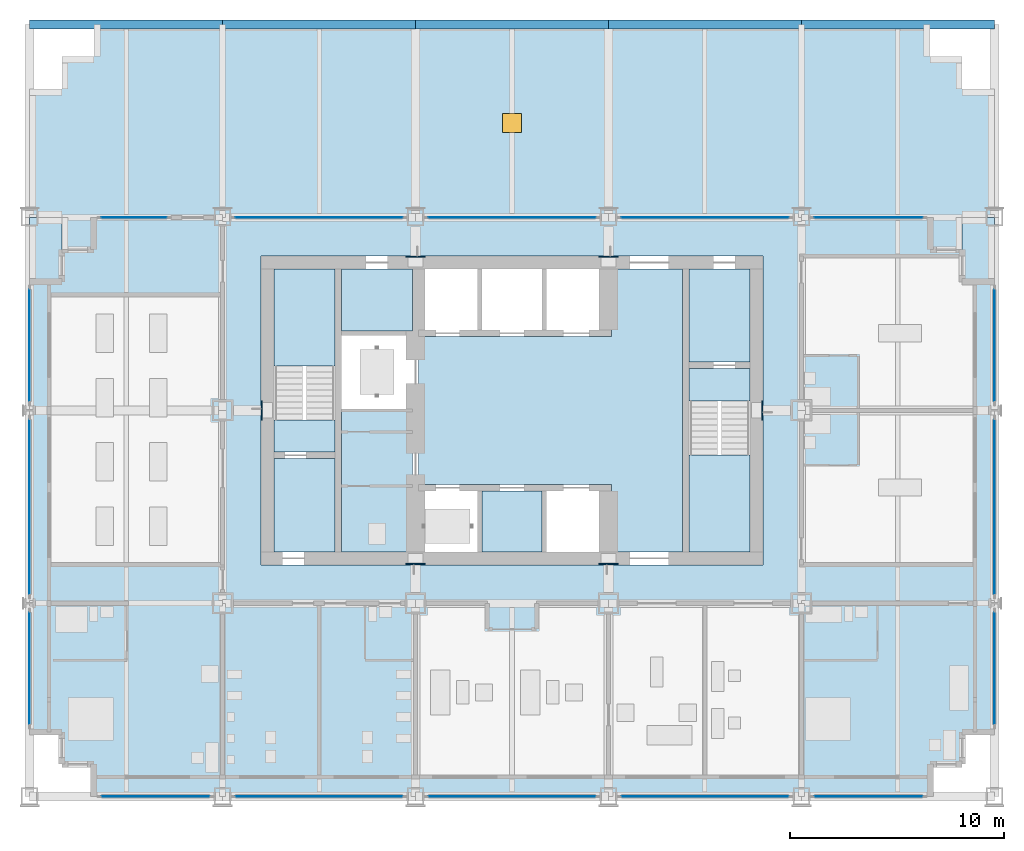
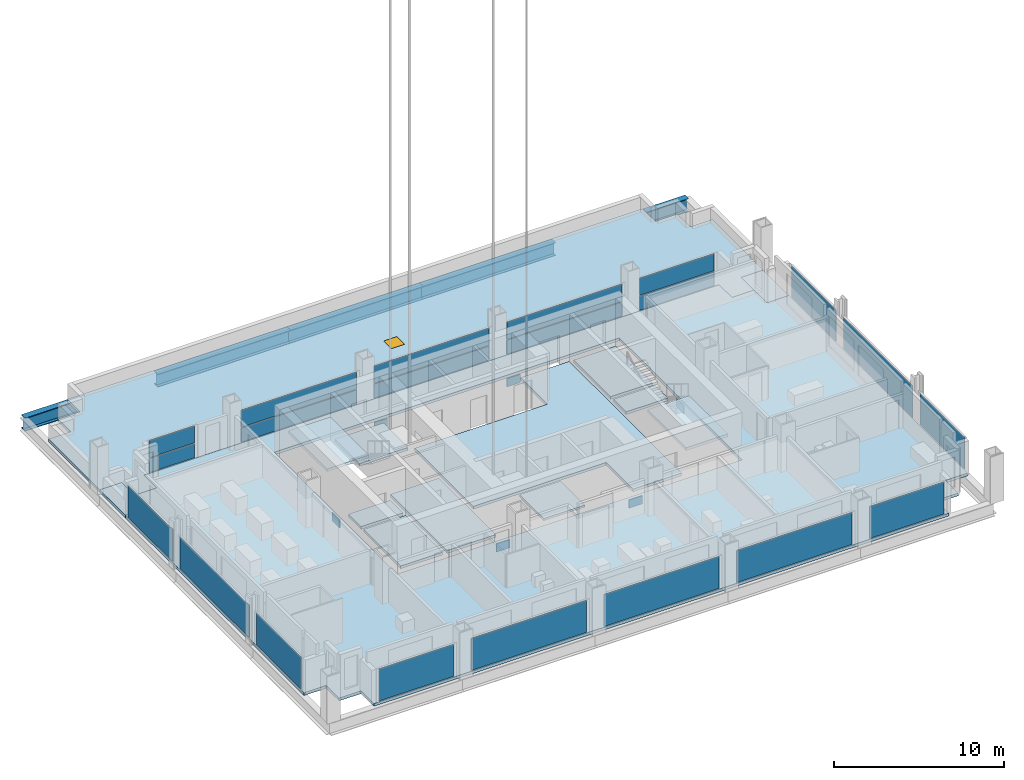
# One storey, part 6 of 15: 27 plates, 14 slabs, 5 beams, 1 window, 1 opening, 18 elements without a shape of their own.
"""IFC4 building model written with IfcOpenShell, lengths in metres."""

import ifcopenshell
import ifcopenshell.guid

model = None  # the IFC model being written
_history = None  # IfcOwnerHistory: only IFC2X3 demands one
_inside = {}  # id of a spatial element -> (the spatial element, [elements in it])
_under = {}  # id of a project, library or spatial element -> (it, [spatial elements below it])
_declared = {}  # id of a project -> (the project, [libraries it declares])
_typed = {}  # id of a type object -> (the type object, [elements of that type])
_made_of = {}  # id of a material, layer set ... -> (it, [elements and type objects made of it])


def new_model(schema):
    """Start an empty IFC model of exactly this schema.

    Asked for "IFC4X3", IfcOpenShell would pick the latest addendum, in which some entities
    have other attributes; the version numbers below select the first issue.
    IFC2X3 requires an IfcOwnerHistory on every rooted entity: one is made here for all.
    """
    global model, _history
    if schema == "IFC4X3":
        model = ifcopenshell.file(schema_version=(4, 3, 0, 0))
    else:
        model = ifcopenshell.file(schema=schema)
    _inside.clear()
    _under.clear()
    _declared.clear()
    _typed.clear()
    _made_of.clear()
    _history = None
    if model.schema == "IFC2X3":
        org = make("IfcOrganization", Name="unknown")
        user = make(
            "IfcPersonAndOrganization",
            ThePerson=make("IfcPerson", FamilyName="unknown"),
            TheOrganization=org,
        )
        app = make(
            "IfcApplication",
            ApplicationDeveloper=org,
            Version="unknown",
            ApplicationFullName="unknown",
            ApplicationIdentifier="unknown",
        )
        _history = make(
            "IfcOwnerHistory",
            OwningUser=user,
            OwningApplication=app,
            ChangeAction="ADDED",
            CreationDate=0,
        )
    return model


def make(cls, **values):
    """One entity of the class cls with the attributes given. An attribute that is None is left unset."""
    return model.create_entity(
        cls, **{name: value for name, value in values.items() if value is not None}
    )


def rooted(cls, **values):
    """An entity with a GlobalId (a new one), such as an element, a storey or a relation."""
    return make(cls, GlobalId=ifcopenshell.guid.new(), OwnerHistory=_history, **values)


def si_unit(unit_type, name, prefix=None):
    """IfcSIUnit, for example si_unit("LENGTHUNIT", "METRE", prefix="MILLI")."""
    return make("IfcSIUnit", UnitType=unit_type, Prefix=prefix, Name=name)


def assignment(units):
    """IfcUnitAssignment: the units of a project."""
    return None if units is None else make("IfcUnitAssignment", Units=units)


def point(xyz):
    """IfcCartesianPoint."""
    return None if xyz is None else make("IfcCartesianPoint", Coordinates=xyz)


def direction(xyz):
    """IfcDirection."""
    return None if xyz is None else make("IfcDirection", DirectionRatios=xyz)


def frame(location, z_axis=None, x_axis=None):
    """IfcAxis2Placement3D, a coordinate frame: its origin and axes. An axis left out is left unset."""
    return make(
        "IfcAxis2Placement3D",
        Location=point(location),
        Axis=direction(z_axis),
        RefDirection=direction(x_axis),
    )


def frame_2d(location, x_axis=None):
    """IfcAxis2Placement2D, a coordinate frame in the plane: its origin and x axis."""
    return make(
        "IfcAxis2Placement2D", Location=point(location), RefDirection=direction(x_axis)
    )


def origin():
    """The frame at (0, 0, 0) with its axes left unset."""
    return frame((0.0, 0.0, 0.0))


def origin_2d():
    """The frame at (0, 0) in the plane with its x axis left unset."""
    return frame_2d((0.0, 0.0))


def place(relative_to, where):
    """IfcLocalPlacement: puts the frame where relative to a parent placement (None: the world)."""
    return make(
        "IfcLocalPlacement", PlacementRelTo=relative_to, RelativePlacement=where
    )


def context(
    kind, dimensions, precision=None, world=None, true_north=None, identifier=None
):
    """IfcGeometricRepresentationContext, for example the 3D "Model" context."""
    return make(
        "IfcGeometricRepresentationContext",
        ContextIdentifier=identifier,
        ContextType=kind,
        CoordinateSpaceDimension=dimensions,
        Precision=precision,
        WorldCoordinateSystem=world,
        TrueNorth=true_north,
    )


def subcontext(parent, identifier, kind, view, scale=None):
    """IfcGeometricRepresentationSubContext, for example "Body" below "Model"."""
    return make(
        "IfcGeometricRepresentationSubContext",
        ContextIdentifier=identifier,
        ContextType=kind,
        ParentContext=parent,
        TargetScale=scale,
        TargetView=view,
    )


def project(units=None, contexts=None):
    """IfcProject with its units and contexts."""
    return rooted(
        "IfcProject",
        Name="project",
        RepresentationContexts=contexts,
        UnitsInContext=assignment(units),
    )


def spatial(cls, under=None, at=None, **own):
    """A site, building, storey or space (cls), placed at a placement, below another one or the project."""
    s = rooted(cls, ObjectPlacement=at, **own)
    if under is not None:
        _under.setdefault(under.id(), (under, []))[1].append(s)
    return s


def polyline(points):
    """IfcPolyline through the points."""
    return make("IfcPolyline", Points=[point(p) for p in points])


def profile(cls, at=None, kind="AREA", **sizes):
    """A parametric profile (cls). Its sizes go by their IFC names, for example OverallWidth=200.0."""
    return make(cls, ProfileType=kind, Position=at, **sizes)


def rectangle(**sizes):
    """IfcRectangleProfileDef."""
    return profile("IfcRectangleProfileDef", **sizes)


def i_section(**sizes):
    """IfcIShapeProfileDef."""
    return profile("IfcIShapeProfileDef", **sizes)


def outline(outer, holes=None, kind="AREA"):
    """IfcArbitraryClosedProfileDef: a profile drawn as a closed curve; with holes, ...WithVoids."""
    if holes is None:
        return make("IfcArbitraryClosedProfileDef", ProfileType=kind, OuterCurve=outer)
    return make(
        "IfcArbitraryProfileDefWithVoids",
        ProfileType=kind,
        OuterCurve=outer,
        InnerCurves=holes,
    )


def extrude(swept, where, along, depth):
    """IfcExtrudedAreaSolid: the profile swept, set in the frame where, extruded along a direction by depth."""
    return make(
        "IfcExtrudedAreaSolid",
        SweptArea=swept,
        Position=where,
        ExtrudedDirection=direction(along),
        Depth=depth,
    )


def shape(context_of_items, identifier, shape_type, items):
    """IfcShapeRepresentation: the items that make up one representation, for example the "Body"."""
    return make(
        "IfcShapeRepresentation",
        ContextOfItems=context_of_items,
        RepresentationIdentifier=identifier,
        RepresentationType=shape_type,
        Items=items,
    )


def material(Name=None, Category=None):
    """IfcMaterial."""
    return make("IfcMaterial", Name=Name, Category=Category)


def layer(
    of_material, thickness, ventilated=None, Name=None, Category=None, Priority=None
):
    """IfcMaterialLayer: one layer of a wall or slab, of a material (None: an air gap)."""
    return make(
        "IfcMaterialLayer",
        Material=of_material,
        LayerThickness=thickness,
        IsVentilated=ventilated,
        Name=Name,
        Category=Category,
        Priority=Priority,
    )


def layer_set(layers, Name=None):
    """IfcMaterialLayerSet."""
    return make("IfcMaterialLayerSet", MaterialLayers=layers, LayerSetName=Name)


def material_profile(
    of_material, cross_section, Name=None, Category=None, Priority=None
):
    """IfcMaterialProfile: a cross section and its material."""
    return make(
        "IfcMaterialProfile",
        Name=Name,
        Material=of_material,
        Profile=cross_section,
        Priority=Priority,
        Category=Category,
    )


def profile_set(profiles, Name=None, composite=None):
    """IfcMaterialProfileSet."""
    return make(
        "IfcMaterialProfileSet",
        Name=Name,
        MaterialProfiles=profiles,
        CompositeProfile=composite,
    )


def made_of(thing, what):
    """Note that an element or type object is made of a material, layer set ...; save() writes the relation."""
    if what is not None:
        _made_of.setdefault(what.id(), (what, []))[1].append(thing)
    return thing


def type_object(cls, material=None, **own):
    """A type object (cls), such as IfcWallType, which elements share."""
    return made_of(rooted(cls, **own), material)


def element(
    cls,
    number,
    at=None,
    inside=None,
    cuts=None,
    type_object=None,
    material=None,
    context=None,
    identifier="Body",
    shape_type=None,
    held_by="IfcProductDefinitionShape",
    body=None,
    shapes=None,
    **own,
):
    """One element of the class cls, such as IfcWall. Its Tag is "e" and its number.

    at: its placement. inside: the storey or other place that contains it. cuts: it is an
    opening in that element (IfcRelVoidsElement). A single representation is given by context,
    identifier, shape_type and body (its items); several are given by shapes. held_by: the class
    of the entity that holds the representations. save() writes the other relations.
    """
    e = rooted(cls, Tag="e%d" % number, ObjectPlacement=at, **own)
    if body is not None:
        shapes = [shape(context, identifier, shape_type, body)]
    if shapes is not None:
        e.Representation = make(held_by, Representations=shapes)
    if inside is not None:
        _inside.setdefault(inside.id(), (inside, []))[1].append(e)
    if cuts is not None:
        rooted(
            "IfcRelVoidsElement", RelatingBuildingElement=cuts, RelatedOpeningElement=e
        )
    if type_object is not None:
        _typed.setdefault(type_object.id(), (type_object, []))[1].append(e)
    return made_of(e, material)


def fill(opening, filler):
    """IfcRelFillsElement: the door or window that sits in an opening."""
    return rooted(
        "IfcRelFillsElement",
        RelatingOpeningElement=opening,
        RelatedBuildingElement=filler,
    )


def aggregate(whole, parts):
    """IfcRelAggregates: a whole, such as a stair, and the parts it consists of."""
    return rooted("IfcRelAggregates", RelatingObject=whole, RelatedObjects=parts)


def save(model, path):
    """Write the relations noted so far, then the file.

    IfcRelAggregates (storeys below a building ...), IfcRelContainedInSpatialStructure (elements
    in a storey), IfcRelDefinesByType, IfcRelAssociatesMaterial and IfcRelDeclares: one each for
    every whole, place, type object, material and project.
    """
    for whole, parts in _under.values():
        aggregate(whole, parts)
    for where, things in _inside.values():
        rooted(
            "IfcRelContainedInSpatialStructure",
            RelatedElements=things,
            RelatingStructure=where,
        )
    for kind, things in _typed.values():
        rooted("IfcRelDefinesByType", RelatedObjects=things, RelatingType=kind)
    for what, things in _made_of.values():
        rooted("IfcRelAssociatesMaterial", RelatedObjects=things, RelatingMaterial=what)
    for by, libraries in _declared.values():
        rooted("IfcRelDeclares", RelatingContext=by, RelatedDefinitions=libraries)
    model.write(path)


model = new_model("IFC4")

# Units and contexts
model_context = context("Model", 3, precision=1e-05, world=origin(), true_north=direction((0.0, 1.0)))
body_context = subcontext(model_context, "Body", "Model", "MODEL_VIEW")
ifc_project = project(units=[si_unit("LENGTHUNIT", "METRE"), si_unit("AREAUNIT", "SQUARE_METRE"), si_unit("VOLUMEUNIT", "CUBIC_METRE"), si_unit("PLANEANGLEUNIT", "RADIAN"), si_unit("MASSUNIT", "GRAM", prefix="KILO")], contexts=[model_context])

# Site, building, storey
site_placement = place(None, origin())
site = spatial("IfcSite", under=ifc_project, at=site_placement, CompositionType="ELEMENT")
building_placement = place(site_placement, origin())
building = spatial("IfcBuilding", under=site, at=building_placement, Name="Loomwork Tower", CompositionType="ELEMENT")
storey_placement = place(building_placement, frame((0.0, 0.0, 160.39990234375)))
storey = spatial("IfcBuildingStorey", under=building, at=storey_placement, Name="L43", CompositionType="ELEMENT", Elevation=160.39990234375)

# Beams
ifc_material_1 = material(Name="Steel ASTM A992", Category="steel")
ifc_material_profile = material_profile(ifc_material_1, i_section(OverallWidth=0.424072265625, OverallDepth=0.947509765625, WebThickness=0.02392578125, FlangeThickness=0.042724609375, at=origin_2d()), Name="W36x302")
ifc_profile_set = profile_set([ifc_material_profile], Name="Steel ASTM A992")
beam_type = type_object("IfcBeamType", Name="BELT CHORD SPANDREL W36x302", PredefinedType="SPANDREL", material=ifc_profile_set)
for number, where, z_axis, x_axis, name in (
    (1, (0.0, 36.0, -0.673583984375), (1.0, 0.0, 0.0), (0.0, 1.0, 0.0), "Belt Chord Spandrel H/2-H/3 L43"),
    (2, (9.0, 36.0, -0.673583984375), (1.0, 0.0, 0.0), (0.0, 1.0, 0.0), "Belt Chord Spandrel H/3-H/4 L43"),
    (3, (18.0, 36.0, -0.673583984375), (1.0, 0.0, 0.0), (0.0, 1.0, 0.0), "Belt Chord Spandrel H/4-H/5 L43"),
    (4, (27.0, 36.0, -0.673583984375), (1.0, 0.0, 0.0), (0.0, 1.0, 0.0), "Belt Chord Spandrel H/5-H/6 L43"),
    (5, (36.0, 36.0, -0.673583984375), (1.0, 0.0, 0.0), (0.0, 1.0, 0.0), "Belt Chord Spandrel H/6-H/7 L43"),
):
    element("IfcBeam", number, at=place(storey_placement, frame(where, z_axis=z_axis, x_axis=x_axis)), inside=storey, type_object=beam_type, Name=name, PredefinedType="SPANDREL", context=body_context, shape_type="SweptSolid", body=[
        extrude(i_section(OverallWidth=0.424072265625, OverallDepth=0.947509765625, WebThickness=0.02392578125, FlangeThickness=0.042724609375, at=origin_2d()), origin(), (0.0, 0.0, 1.0), 9.0),
    ])

# Slabs
ifc_material_2 = material(Name="Concrete 5000 psi (34 MPa) on composite metal deck", Category="concrete")
ifc_layer_1 = layer(ifc_material_2, 0.199951171875)
ifc_layer_set_1 = layer_set([ifc_layer_1], Name="Floor slab 200")
slab_type_1 = type_object("IfcSlabType", Name="Floor slab 200", PredefinedType="FLOOR", material=ifc_layer_set_1)
slab_1_placement = place(storey_placement, frame((0.0, 0.0, -0.199951171875)))
element("IfcSlab", 6, at=slab_1_placement, inside=storey, type_object=slab_type_1, Name="Floor slab L43", PredefinedType="FLOOR", context=body_context, shape_type="SweptSolid", body=[
    extrude(outline(polyline([(3.0, 1.5), (1.5, 1.5), (1.5, 3.0), (0.0, 3.0), (0.0, 24.0), (1.5, 24.0), (1.5, 25.5), (3.0, 25.5), (3.0, 27.0), (42.0, 27.0), (42.0, 25.5), (43.5, 25.5), (43.5, 24.0), (45.0, 24.0), (45.0, 3.0), (43.5, 3.0), (43.5, 1.5), (42.0, 1.5), (42.0, 0.0), (3.0, 0.0), (3.0, 1.5)]), holes=[polyline([(10.800048828125, 11.39990234375), (10.800048828125, 11.39990234375), (10.800048828125, 10.800048828125), (34.199951171875, 10.800048828125), (34.199951171875, 11.39990234375), (34.199951171875, 11.39990234375), (34.199951171875, 24.60009765625), (34.199951171875, 25.199951171875), (10.800048828125, 25.199951171875), (10.800048828125, 24.60009765625), (10.800048828125, 11.39990234375)])]), origin(), (0.0, 0.0, 1.0), 0.199951171875),
])
slab_2_placement = place(storey_placement, frame((0.0, 0.0, -0.199951171875)))
element("IfcSlab", 7, at=slab_2_placement, inside=storey, type_object=slab_type_1, Name="Floor slab L43", PredefinedType="FLOOR", context=body_context, shape_type="SweptSolid", body=[
    extrude(outline(polyline([(30.449951171875, 24.60009765625), (30.449951171875, 11.39990234375), (27.14990234375, 11.39990234375), (27.14990234375, 14.25), (27.14990234375, 14.550048828125), (18.14990234375, 14.550048828125), (18.14990234375, 21.449951171875), (27.14990234375, 21.449951171875), (27.14990234375, 21.75), (27.14990234375, 24.60009765625), (30.449951171875, 24.60009765625)])), origin(), (0.0, 0.0, 1.0), 0.199951171875),
])
slab_3_placement = place(storey_placement, frame((0.0, 0.0, -0.199951171875)))
element("IfcSlab", 8, at=slab_3_placement, inside=storey, type_object=slab_type_1, Name="Floor slab L43", PredefinedType="FLOOR", context=body_context, shape_type="SweptSolid", body=[
    extrude(outline(polyline([(14.550048828125, 11.39990234375), (14.550048828125, 18.074951171875), (17.85009765625, 18.074951171875), (17.85009765625, 11.39990234375), (14.550048828125, 11.39990234375)])), origin(), (0.0, 0.0, 1.0), 0.199951171875),
])
slab_4_placement = place(storey_placement, frame((0.0, 0.0, -0.199951171875)))
element("IfcSlab", 9, at=slab_4_placement, inside=storey, type_object=slab_type_1, Name="Floor slab L43", PredefinedType="FLOOR", context=body_context, shape_type="SweptSolid", body=[
    extrude(outline(polyline([(33.60009765625, 20.25), (30.75, 20.25), (30.75, 24.60009765625), (33.60009765625, 24.60009765625), (33.60009765625, 20.25)])), origin(), (0.0, 0.0, 1.0), 0.199951171875),
])
slab_5_placement = place(storey_placement, frame((0.0, 0.0, -0.199951171875)))
element("IfcSlab", 10, at=slab_5_placement, inside=storey, type_object=slab_type_1, Name="Floor slab L43", PredefinedType="FLOOR", context=body_context, shape_type="SweptSolid", body=[
    extrude(outline(polyline([(14.25, 15.75), (14.25, 11.39990234375), (11.39990234375, 11.39990234375), (11.39990234375, 15.75), (14.25, 15.75)])), origin(), (0.0, 0.0, 1.0), 0.199951171875),
])
slab_6_placement = place(storey_placement, frame((0.0, 0.0, -0.199951171875)))
element("IfcSlab", 11, at=slab_6_placement, inside=storey, type_object=slab_type_1, Name="Floor slab L43", PredefinedType="FLOOR", context=body_context, shape_type="SweptSolid", body=[
    extrude(outline(polyline([(14.550048828125, 21.699951171875), (14.550048828125, 24.60009765625), (17.85009765625, 24.60009765625), (17.85009765625, 21.699951171875), (14.550048828125, 21.699951171875)])), origin(), (0.0, 0.0, 1.0), 0.199951171875),
])

# Curtain wall, plate
ifc_material_3 = material(Name="Aluminium curtain wall frame", Category="aluminium")
curtain_wall_type_1 = type_object("IfcCurtainWallType", Name="Outer skin glazing hotel", PredefinedType="NOTDEFINED", material=ifc_material_3)
curtain_wall_1_placement = place(storey_placement, origin())
curtain_wall_1 = element("IfcCurtainWall", 12, at=curtain_wall_1_placement, inside=storey, type_object=curtain_wall_type_1, Name="Outer skin glazing hotel cw/S-0", PredefinedType="NOTDEFINED")
ifc_material_4 = material(Name="Clear laminated glass", Category="glass")
ifc_layer_2 = layer(ifc_material_4, 0.02392578125)
ifc_layer_set_2 = layer_set([ifc_layer_2], Name="Outer skin glazing hotel panel")
plate_type_1 = type_object("IfcPlateType", Name="Outer skin glazing hotel panel", PredefinedType="CURTAIN_PANEL", material=ifc_layer_set_2)
plate_1_placement = place(storey_placement, frame((5.875, 0.0, 0.06494140625), z_axis=(0.0, 0.0, 1.0), x_axis=(1.0, 0.0, 0.0)))
plate_1 = element("IfcPlate", 13, at=plate_1_placement, type_object=plate_type_1, Name="CW1 panel 1.1", PredefinedType="CURTAIN_PANEL", context=body_context, shape_type="SweptSolid", body=[
    extrude(rectangle(XDim=5.050048828125, YDim=0.02392578125, at=origin_2d()), origin(), (0.0, 0.0, 1.0), 2.290283203125),
])
aggregate(curtain_wall_1, [plate_1])

curtain_wall_2_placement = place(storey_placement, origin())
curtain_wall_2 = element("IfcCurtainWall", 14, at=curtain_wall_2_placement, inside=storey, type_object=curtain_wall_type_1, Name="Outer skin glazing hotel cw/S-9", PredefinedType="NOTDEFINED")
plate_2_placement = place(storey_placement, frame((13.5, 0.0, 0.06494140625), z_axis=(0.0, 0.0, 1.0), x_axis=(1.0, 0.0, 0.0)))
plate_2 = element("IfcPlate", 15, at=plate_2_placement, type_object=plate_type_1, Name="CW1 panel 1.1", PredefinedType="CURTAIN_PANEL", context=body_context, shape_type="SweptSolid", body=[
    extrude(rectangle(XDim=7.800048828125, YDim=0.02392578125, at=origin_2d()), origin(), (0.0, 0.0, 1.0), 2.290283203125),
])
aggregate(curtain_wall_2, [plate_2])

curtain_wall_3_placement = place(storey_placement, origin())
curtain_wall_3 = element("IfcCurtainWall", 16, at=curtain_wall_3_placement, inside=storey, type_object=curtain_wall_type_1, Name="Outer skin glazing hotel cw/S-18", PredefinedType="NOTDEFINED")
plate_3_placement = place(storey_placement, frame((22.5, 0.0, 0.06494140625), z_axis=(0.0, 0.0, 1.0), x_axis=(1.0, 0.0, 0.0)))
plate_3 = element("IfcPlate", 17, at=plate_3_placement, type_object=plate_type_1, Name="CW1 panel 1.1", PredefinedType="CURTAIN_PANEL", context=body_context, shape_type="SweptSolid", body=[
    extrude(rectangle(XDim=7.800048828125, YDim=0.02392578125, at=origin_2d()), origin(), (0.0, 0.0, 1.0), 2.290283203125),
])
aggregate(curtain_wall_3, [plate_3])

curtain_wall_4_placement = place(storey_placement, origin())
curtain_wall_4 = element("IfcCurtainWall", 18, at=curtain_wall_4_placement, inside=storey, type_object=curtain_wall_type_1, Name="Outer skin glazing hotel cw/S-27", PredefinedType="NOTDEFINED")
plate_4_placement = place(storey_placement, frame((31.5, 0.0, 0.06494140625), z_axis=(0.0, 0.0, 1.0), x_axis=(1.0, 0.0, 0.0)))
plate_4 = element("IfcPlate", 19, at=plate_4_placement, type_object=plate_type_1, Name="CW1 panel 1.1", PredefinedType="CURTAIN_PANEL", context=body_context, shape_type="SweptSolid", body=[
    extrude(rectangle(XDim=7.800048828125, YDim=0.02392578125, at=origin_2d()), origin(), (0.0, 0.0, 1.0), 2.290283203125),
])
aggregate(curtain_wall_4, [plate_4])

curtain_wall_5_placement = place(storey_placement, origin())
curtain_wall_5 = element("IfcCurtainWall", 20, at=curtain_wall_5_placement, inside=storey, type_object=curtain_wall_type_1, Name="Outer skin glazing hotel cw/S-36", PredefinedType="NOTDEFINED")
plate_5_placement = place(storey_placement, frame((39.125, 0.0, 0.06494140625), z_axis=(0.0, 0.0, 1.0), x_axis=(1.0, 0.0, 0.0)))
plate_5 = element("IfcPlate", 21, at=plate_5_placement, type_object=plate_type_1, Name="CW1 panel 1.1", PredefinedType="CURTAIN_PANEL", context=body_context, shape_type="SweptSolid", body=[
    extrude(rectangle(XDim=5.050048828125, YDim=0.02392578125, at=origin_2d()), origin(), (0.0, 0.0, 1.0), 2.290283203125),
])
aggregate(curtain_wall_5, [plate_5])

curtain_wall_6_placement = place(storey_placement, origin())
curtain_wall_6 = element("IfcCurtainWall", 22, at=curtain_wall_6_placement, inside=storey, type_object=curtain_wall_type_1, Name="Outer skin glazing hotel cw/W-0", PredefinedType="NOTDEFINED")
plate_6_placement = place(storey_placement, frame((0.0, 5.962646484375, 0.06494140625), z_axis=(0.0, 0.0, 1.0), x_axis=(0.0, -1.0, 0.0)))
plate_6 = element("IfcPlate", 23, at=plate_6_placement, type_object=plate_type_1, Name="CW1 panel 1.1", PredefinedType="CURTAIN_PANEL", context=body_context, shape_type="SweptSolid", body=[
    extrude(rectangle(XDim=5.22509765625, YDim=0.02392578125, at=origin_2d()), origin(), (0.0, 0.0, 1.0), 2.290283203125),
])
aggregate(curtain_wall_6, [plate_6])

curtain_wall_7_placement = place(storey_placement, origin())
curtain_wall_7 = element("IfcCurtainWall", 24, at=curtain_wall_7_placement, inside=storey, type_object=curtain_wall_type_1, Name="Outer skin glazing hotel cw/W-9", PredefinedType="NOTDEFINED")
plate_7_placement = place(storey_placement, frame((0.0, 13.5, 0.06494140625), z_axis=(0.0, 0.0, 1.0), x_axis=(0.0, -1.0, 0.0)))
plate_7 = element("IfcPlate", 25, at=plate_7_placement, type_object=plate_type_1, Name="CW1 panel 1.1", PredefinedType="CURTAIN_PANEL", context=body_context, shape_type="SweptSolid", body=[
    extrude(rectangle(XDim=8.150390625, YDim=0.02392578125, at=origin_2d()), origin(), (0.0, 0.0, 1.0), 2.290283203125),
])
aggregate(curtain_wall_7, [plate_7])

curtain_wall_8_placement = place(storey_placement, origin())
curtain_wall_8 = element("IfcCurtainWall", 26, at=curtain_wall_8_placement, inside=storey, type_object=curtain_wall_type_1, Name="Outer skin glazing hotel cw/W-18", PredefinedType="NOTDEFINED")
plate_8_placement = place(storey_placement, frame((0.0, 21.037353515625, 0.06494140625), z_axis=(0.0, 0.0, 1.0), x_axis=(0.0, -1.0, 0.0)))
plate_8 = element("IfcPlate", 27, at=plate_8_placement, type_object=plate_type_1, Name="CW1 panel 1.1", PredefinedType="CURTAIN_PANEL", context=body_context, shape_type="SweptSolid", body=[
    extrude(rectangle(XDim=5.22509765625, YDim=0.02392578125, at=origin_2d()), origin(), (0.0, 0.0, 1.0), 2.290283203125),
])
aggregate(curtain_wall_8, [plate_8])

curtain_wall_9_placement = place(storey_placement, origin())
curtain_wall_9 = element("IfcCurtainWall", 28, at=curtain_wall_9_placement, inside=storey, type_object=curtain_wall_type_1, Name="Outer skin glazing hotel cw/E-0", PredefinedType="NOTDEFINED")
plate_9_placement = place(storey_placement, frame((45.0, 5.962646484375, 0.06494140625), z_axis=(0.0, 0.0, 1.0), x_axis=(0.0, 1.0, 0.0)))
plate_9 = element("IfcPlate", 29, at=plate_9_placement, type_object=plate_type_1, Name="CW1 panel 1.1", PredefinedType="CURTAIN_PANEL", context=body_context, shape_type="SweptSolid", body=[
    extrude(rectangle(XDim=5.22509765625, YDim=0.02392578125, at=origin_2d()), origin(), (0.0, 0.0, 1.0), 2.290283203125),
])
aggregate(curtain_wall_9, [plate_9])

curtain_wall_10_placement = place(storey_placement, origin())
curtain_wall_10 = element("IfcCurtainWall", 30, at=curtain_wall_10_placement, inside=storey, type_object=curtain_wall_type_1, Name="Outer skin glazing hotel cw/E-9", PredefinedType="NOTDEFINED")
plate_10_placement = place(storey_placement, frame((45.0, 13.5, 0.06494140625), z_axis=(0.0, 0.0, 1.0), x_axis=(0.0, 1.0, 0.0)))
plate_10 = element("IfcPlate", 31, at=plate_10_placement, type_object=plate_type_1, Name="CW1 panel 1.1", PredefinedType="CURTAIN_PANEL", context=body_context, shape_type="SweptSolid", body=[
    extrude(rectangle(XDim=8.150390625, YDim=0.02392578125, at=origin_2d()), origin(), (0.0, 0.0, 1.0), 2.290283203125),
])
aggregate(curtain_wall_10, [plate_10])

curtain_wall_11_placement = place(storey_placement, origin())
curtain_wall_11 = element("IfcCurtainWall", 32, at=curtain_wall_11_placement, inside=storey, type_object=curtain_wall_type_1, Name="Outer skin glazing hotel cw/E-18", PredefinedType="NOTDEFINED")
plate_11_placement = place(storey_placement, frame((45.0, 21.037353515625, 0.06494140625), z_axis=(0.0, 0.0, 1.0), x_axis=(0.0, 1.0, 0.0)))
plate_11 = element("IfcPlate", 33, at=plate_11_placement, type_object=plate_type_1, Name="CW1 panel 1.1", PredefinedType="CURTAIN_PANEL", context=body_context, shape_type="SweptSolid", body=[
    extrude(rectangle(XDim=5.22509765625, YDim=0.02392578125, at=origin_2d()), origin(), (0.0, 0.0, 1.0), 2.290283203125),
])
aggregate(curtain_wall_11, [plate_11])

# Slab
ifc_material_5 = material(Name="Concrete 5000 psi (34 MPa) on composite metal deck", Category="concrete")
ifc_layer_3 = layer(ifc_material_5, 0.199951171875)
ifc_layer_set_3 = layer_set([ifc_layer_3], Name="Roof slab 200")
slab_type_2 = type_object("IfcSlabType", Name="Roof slab 200", PredefinedType="ROOF", material=ifc_layer_set_3)
slab_7_placement = place(storey_placement, frame((0.0, 0.0, -0.199951171875)))
element("IfcSlab", 34, at=slab_7_placement, inside=storey, type_object=slab_type_2, Name="Setback roof (maintenance access only) L42 part 1", PredefinedType="ROOF", context=body_context, shape_type="SweptSolid", body=[
    extrude(outline(polyline([(1.5, 24.0), (0.0, 24.0), (0.0, 27.0), (1.5, 27.0), (1.5, 24.0)])), origin(), (0.0, 0.0, 1.0), 0.199951171875),
])

# Slab, opening, window
slab_8_placement = place(storey_placement, frame((0.0, 0.0, -0.199951171875)))
slab_8 = element("IfcSlab", 35, at=slab_8_placement, inside=storey, type_object=slab_type_2, Name="Setback roof (maintenance access only) L42 part 2", PredefinedType="ROOF", context=body_context, shape_type="SweptSolid", body=[
    extrude(outline(polyline([(3.0, 25.5), (1.5, 25.5), (1.5, 27.0), (0.0, 27.0), (0.0, 33.0), (1.5, 33.0), (1.5, 34.5), (3.0, 34.5), (3.0, 36.0), (42.0, 36.0), (42.0, 34.5), (43.5, 34.5), (43.5, 33.0), (45.0, 33.0), (45.0, 27.0), (43.5, 27.0), (43.5, 25.5), (42.0, 25.5), (42.0, 27.0), (3.0, 27.0), (3.0, 25.5)])), origin(), (0.0, 0.0, 1.0), 0.199951171875),
])
opening_placement = place(slab_8_placement, frame((22.5, 31.410888671875, 0.0)))
opening = element("IfcOpeningElement", 36, at=opening_placement, cuts=slab_8, Name="Opening RH1", PredefinedType="OPENING", context=body_context, shape_type="SweptSolid", body=[
    extrude(rectangle(XDim=0.89990234375, YDim=0.89990234375, at=origin_2d()), origin(), (0.0, 0.0, 1.0), 0.199951171875),
])
ifc_material_6 = material(Name="Aluminium hatch with insulated lid", Category="aluminium")
window_type = type_object("IfcWindowType", Name="Roof access hatch 900", PartitioningType="SINGLE_PANEL", PredefinedType="SKYLIGHT", material=ifc_material_6)
window_placement = place(opening_placement, frame((0.0, 0.0, 0.14990234375)))
window = element("IfcWindow", 37, at=window_placement, inside=storey, type_object=window_type, Name="Roof access hatch L43", OverallHeight=0.89990234375, OverallWidth=0.89990234375, PartitioningType="SINGLE_PANEL", PredefinedType="SKYLIGHT", context=body_context, shape_type="SweptSolid", body=[
    extrude(rectangle(XDim=0.89990234375, YDim=0.89990234375, at=origin_2d()), origin(), (0.0, 0.0, 1.0), 0.050048828125),
])
fill(opening, window)

# Slabs
slab_9_placement = place(storey_placement, frame((0.0, 0.0, -0.199951171875)))
element("IfcSlab", 38, at=slab_9_placement, inside=storey, type_object=slab_type_2, Name="Setback roof (maintenance access only) L42 part 3", PredefinedType="ROOF", context=body_context, shape_type="SweptSolid", body=[
    extrude(outline(polyline([(45.0, 24.0), (43.5, 24.0), (43.5, 27.0), (45.0, 27.0), (45.0, 24.0)])), origin(), (0.0, 0.0, 1.0), 0.199951171875),
])
ifc_material_7 = material(Name="Concrete 5000 psi (34 MPa) on composite metal deck", Category="concrete")
ifc_layer_4 = layer(ifc_material_7, 0.14990234375)
ifc_layer_set_4 = layer_set([ifc_layer_4], Name="Shaft infill floor 150")
slab_type_3 = type_object("IfcSlabType", Name="Shaft infill floor 150", PredefinedType="FLOOR", material=ifc_layer_set_4)
slab_10_placement = place(storey_placement, frame((0.0, 0.0, -0.14990234375)))
element("IfcSlab", 39, at=slab_10_placement, inside=storey, type_object=slab_type_3, Name="Shaft infill floor S2 L43", PredefinedType="FLOOR", context=body_context, shape_type="SweptSolid", body=[
    extrude(outline(polyline([(21.10009765625, 11.39990234375), (23.89990234375, 11.39990234375), (23.89990234375, 14.25), (21.10009765625, 14.25), (21.10009765625, 11.39990234375)])), origin(), (0.0, 0.0, 1.0), 0.14990234375),
])

# Curtain wall, plates
ifc_material_8 = material(Name="Aluminium curtain wall frame", Category="aluminium")
curtain_wall_type_2 = type_object("IfcCurtainWallType", Name="Single skin glazing corridor", PredefinedType="NOTDEFINED", material=ifc_material_8)
curtain_wall_12_placement = place(storey_placement, origin())
curtain_wall_12 = element("IfcCurtainWall", 40, at=curtain_wall_12_placement, inside=storey, type_object=curtain_wall_type_2, Name="Single skin glazing corridor cw/N-0", PredefinedType="NOTDEFINED")
ifc_material_9 = material(Name="Clear insulated glass", Category="glass")
ifc_layer_5 = layer(ifc_material_9, 0.031982421875)
ifc_layer_set_5 = layer_set([ifc_layer_5], Name="Single skin glazing corridor panel")
plate_type_2 = type_object("IfcPlateType", Name="Single skin glazing corridor panel", PredefinedType="CURTAIN_PANEL", material=ifc_layer_set_5)
plate_12_placement = place(storey_placement, frame((4.875, 27.0, 0.065185546875), z_axis=(0.0, 0.0, 1.0), x_axis=(-1.0, 0.0, 0.0)))
plate_12 = element("IfcPlate", 41, at=plate_12_placement, type_object=plate_type_2, Name="CW3 panel 1.1", PredefinedType="CURTAIN_PANEL", context=body_context, shape_type="SweptSolid", body=[
    extrude(rectangle(XDim=3.050048828125, YDim=0.031982421875, at=origin_2d()), origin(), (0.0, 0.0, 1.0), 1.00244140625),
])
plate_13_placement = place(storey_placement, frame((4.875, 27.0, 1.132568359375), z_axis=(0.0, 0.0, 1.0), x_axis=(-1.0, 0.0, 0.0)))
plate_13 = element("IfcPlate", 42, at=plate_13_placement, type_object=plate_type_2, Name="CW3 panel 1.2", PredefinedType="CURTAIN_PANEL", context=body_context, shape_type="SweptSolid", body=[
    extrude(rectangle(XDim=3.050048828125, YDim=0.031982421875, at=origin_2d()), origin(), (0.0, 0.0, 1.0), 1.22265625),
])
aggregate(curtain_wall_12, [plate_12, plate_13])

curtain_wall_13_placement = place(storey_placement, origin())
curtain_wall_13 = element("IfcCurtainWall", 43, at=curtain_wall_13_placement, inside=storey, type_object=curtain_wall_type_2, Name="Single skin glazing corridor cw/N-9", PredefinedType="NOTDEFINED")
plate_14_placement = place(storey_placement, frame((13.5, 27.0, 0.065185546875), z_axis=(0.0, 0.0, 1.0), x_axis=(-1.0, 0.0, 0.0)))
plate_14 = element("IfcPlate", 44, at=plate_14_placement, type_object=plate_type_2, Name="CW3 panel 1.1", PredefinedType="CURTAIN_PANEL", context=body_context, shape_type="SweptSolid", body=[
    extrude(rectangle(XDim=7.800048828125, YDim=0.031982421875, at=origin_2d()), origin(), (0.0, 0.0, 1.0), 1.00244140625),
])
plate_15_placement = place(storey_placement, frame((13.5, 27.0, 1.132568359375), z_axis=(0.0, 0.0, 1.0), x_axis=(-1.0, 0.0, 0.0)))
plate_15 = element("IfcPlate", 45, at=plate_15_placement, type_object=plate_type_2, Name="CW3 panel 1.2", PredefinedType="CURTAIN_PANEL", context=body_context, shape_type="SweptSolid", body=[
    extrude(rectangle(XDim=7.800048828125, YDim=0.031982421875, at=origin_2d()), origin(), (0.0, 0.0, 1.0), 1.22265625),
])
aggregate(curtain_wall_13, [plate_14, plate_15])

curtain_wall_14_placement = place(storey_placement, origin())
curtain_wall_14 = element("IfcCurtainWall", 46, at=curtain_wall_14_placement, inside=storey, type_object=curtain_wall_type_2, Name="Single skin glazing corridor cw/N-18", PredefinedType="NOTDEFINED")
plate_16_placement = place(storey_placement, frame((22.5, 27.0, 0.065185546875), z_axis=(0.0, 0.0, 1.0), x_axis=(-1.0, 0.0, 0.0)))
plate_16 = element("IfcPlate", 47, at=plate_16_placement, type_object=plate_type_2, Name="CW3 panel 1.1", PredefinedType="CURTAIN_PANEL", context=body_context, shape_type="SweptSolid", body=[
    extrude(rectangle(XDim=7.800048828125, YDim=0.031982421875, at=origin_2d()), origin(), (0.0, 0.0, 1.0), 1.00244140625),
])
plate_17_placement = place(storey_placement, frame((22.5, 27.0, 1.132568359375), z_axis=(0.0, 0.0, 1.0), x_axis=(-1.0, 0.0, 0.0)))
plate_17 = element("IfcPlate", 48, at=plate_17_placement, type_object=plate_type_2, Name="CW3 panel 1.2", PredefinedType="CURTAIN_PANEL", context=body_context, shape_type="SweptSolid", body=[
    extrude(rectangle(XDim=7.800048828125, YDim=0.031982421875, at=origin_2d()), origin(), (0.0, 0.0, 1.0), 1.22265625),
])
aggregate(curtain_wall_14, [plate_16, plate_17])

curtain_wall_15_placement = place(storey_placement, origin())
curtain_wall_15 = element("IfcCurtainWall", 49, at=curtain_wall_15_placement, inside=storey, type_object=curtain_wall_type_2, Name="Single skin glazing corridor cw/N-27", PredefinedType="NOTDEFINED")
plate_18_placement = place(storey_placement, frame((31.5, 27.0, 0.065185546875), z_axis=(0.0, 0.0, 1.0), x_axis=(-1.0, 0.0, 0.0)))
plate_18 = element("IfcPlate", 50, at=plate_18_placement, type_object=plate_type_2, Name="CW3 panel 1.1", PredefinedType="CURTAIN_PANEL", context=body_context, shape_type="SweptSolid", body=[
    extrude(rectangle(XDim=7.800048828125, YDim=0.031982421875, at=origin_2d()), origin(), (0.0, 0.0, 1.0), 1.00244140625),
])
plate_19_placement = place(storey_placement, frame((31.5, 27.0, 1.132568359375), z_axis=(0.0, 0.0, 1.0), x_axis=(-1.0, 0.0, 0.0)))
plate_19 = element("IfcPlate", 51, at=plate_19_placement, type_object=plate_type_2, Name="CW3 panel 1.2", PredefinedType="CURTAIN_PANEL", context=body_context, shape_type="SweptSolid", body=[
    extrude(rectangle(XDim=7.800048828125, YDim=0.031982421875, at=origin_2d()), origin(), (0.0, 0.0, 1.0), 1.22265625),
])
aggregate(curtain_wall_15, [plate_18, plate_19])

curtain_wall_16_placement = place(storey_placement, origin())
curtain_wall_16 = element("IfcCurtainWall", 52, at=curtain_wall_16_placement, inside=storey, type_object=curtain_wall_type_2, Name="Single skin glazing corridor cw/N-36", PredefinedType="NOTDEFINED")
plate_20_placement = place(storey_placement, frame((39.125, 27.0, 0.065185546875), z_axis=(0.0, 0.0, 1.0), x_axis=(-1.0, 0.0, 0.0)))
plate_20 = element("IfcPlate", 53, at=plate_20_placement, type_object=plate_type_2, Name="CW3 panel 1.1", PredefinedType="CURTAIN_PANEL", context=body_context, shape_type="SweptSolid", body=[
    extrude(rectangle(XDim=5.050048828125, YDim=0.031982421875, at=origin_2d()), origin(), (0.0, 0.0, 1.0), 1.00244140625),
])
plate_21_placement = place(storey_placement, frame((39.125, 27.0, 1.132568359375), z_axis=(0.0, 0.0, 1.0), x_axis=(-1.0, 0.0, 0.0)))
plate_21 = element("IfcPlate", 54, at=plate_21_placement, type_object=plate_type_2, Name="CW3 panel 1.2", PredefinedType="CURTAIN_PANEL", context=body_context, shape_type="SweptSolid", body=[
    extrude(rectangle(XDim=5.050048828125, YDim=0.031982421875, at=origin_2d()), origin(), (0.0, 0.0, 1.0), 1.22265625),
])
aggregate(curtain_wall_16, [plate_20, plate_21])

# Stair, slabs
ifc_material_10 = material(Name="Concrete 5000 psi (34 MPa) precast stair", Category="concrete")
stair_type_1 = type_object("IfcStairType", Name="Stair ST-A 20 risers 2850 wide", PredefinedType="HALF_TURN_STAIR", material=ifc_material_10)
stair_1_placement = place(storey_placement, origin())
stair_1 = element("IfcStair", 55, at=stair_1_placement, inside=storey, type_object=stair_type_1, Name="Stair A L43", PredefinedType="HALF_TURN_STAIR")
ifc_material_11 = material(Name="Concrete 5000 psi (34 MPa)", Category="concrete")
ifc_layer_6 = layer(ifc_material_11, 0.199951171875)
ifc_layer_set_6 = layer_set([ifc_layer_6], Name="Stair landing 200")
slab_type_4 = type_object("IfcSlabType", Name="Stair landing 200", PredefinedType="LANDING", material=ifc_layer_set_6)
slab_11_placement = place(storey_placement, frame((0.0, 0.0, -0.199951171875)))
slab_11 = element("IfcSlab", 56, at=slab_11_placement, type_object=slab_type_4, Name="ST-A landing 1", PredefinedType="LANDING", context=body_context, shape_type="SweptSolid", body=[
    extrude(outline(polyline([(11.39990234375, 16.050048828125), (14.25, 16.050048828125), (14.25, 17.550048828125), (11.39990234375, 17.550048828125), (11.39990234375, 16.050048828125)])), origin(), (0.0, 0.0, 1.0), 0.199951171875),
])
slab_12_placement = place(storey_placement, frame((0.0, 0.0, 1.5)))
slab_12 = element("IfcSlab", 57, at=slab_12_placement, type_object=slab_type_4, Name="ST-A landing 2", PredefinedType="LANDING", context=body_context, shape_type="SweptSolid", body=[
    extrude(outline(polyline([(11.39990234375, 20.070068359375), (14.25, 20.070068359375), (14.25, 24.60009765625), (11.39990234375, 24.60009765625), (11.39990234375, 20.070068359375)])), origin(), (0.0, 0.0, 1.0), 0.2001953125),
])
aggregate(stair_1, [slab_11, slab_12])

ifc_material_12 = material(Name="Concrete 5000 psi (34 MPa) precast stair", Category="concrete")
stair_type_2 = type_object("IfcStairType", Name="Stair ST-B 20 risers 2850 wide", PredefinedType="HALF_TURN_STAIR", material=ifc_material_12)
stair_2_placement = place(storey_placement, origin())
stair_2 = element("IfcStair", 58, at=stair_2_placement, inside=storey, type_object=stair_type_2, Name="Stair B L43", PredefinedType="HALF_TURN_STAIR")
slab_13_placement = place(storey_placement, frame((0.0, 0.0, -0.199951171875)))
slab_13 = element("IfcSlab", 59, at=slab_13_placement, type_object=slab_type_4, Name="ST-B landing 1", PredefinedType="LANDING", context=body_context, shape_type="SweptSolid", body=[
    extrude(outline(polyline([(30.75, 18.449951171875), (33.60009765625, 18.449951171875), (33.60009765625, 19.949951171875), (30.75, 19.949951171875), (30.75, 18.449951171875)])), origin(), (0.0, 0.0, 1.0), 0.199951171875),
])
slab_14_placement = place(storey_placement, frame((0.0, 0.0, 1.5)))
slab_14 = element("IfcSlab", 60, at=slab_14_placement, type_object=slab_type_4, Name="ST-B landing 2", PredefinedType="LANDING", context=body_context, shape_type="SweptSolid", body=[
    extrude(outline(polyline([(30.75, 11.39990234375), (33.60009765625, 11.39990234375), (33.60009765625, 15.929931640625), (30.75, 15.929931640625), (30.75, 11.39990234375)])), origin(), (0.0, 0.0, 1.0), 0.2001953125),
])
aggregate(stair_2, [slab_13, slab_14])

# Plates
ifc_material_13 = material(Name="Steel ASTM A572 Grade 50 plate", Category="steel")
ifc_layer_7 = layer(ifc_material_13, 0.06005859375)
ifc_layer_set_7 = layer_set([ifc_layer_7], Name="OUTRIGGER CAST-IN CORE PLATE 60")
plate_type_3 = type_object("IfcPlateType", Name="OUTRIGGER CAST-IN CORE PLATE 60", PredefinedType="SHEET", material=ifc_layer_set_7)
for number, where, z_axis, x_axis, name in (
    (61, (27.0, 10.830078125, -0.79443359375), (0.0, 0.0, 1.0), (1.0, 0.0, 0.0), "Outrigger cast-in core plate 27,9-27,11.1 L43"),
    (62, (34.169921875, 18.0, -0.79443359375), (0.0, 0.0, 1.0), (0.0, 1.0, 0.0), "Outrigger cast-in core plate 36,18-33.9,18 L43"),
    (63, (27.0, 25.169921875, -0.79443359375), (0.0, 0.0, 1.0), (1.0, 0.0, 0.0), "Outrigger cast-in core plate 27,27-27,24.9 L43"),
    (64, (18.0, 10.830078125, -0.79443359375), (0.0, 0.0, 1.0), (1.0, 0.0, 0.0), "Outrigger cast-in core plate 18,9-18,11.1 L43"),
    (65, (18.0, 25.169921875, -0.79443359375), (0.0, 0.0, 1.0), (1.0, 0.0, 0.0), "Outrigger cast-in core plate 18,27-18,24.9 L43"),
    (66, (10.830078125, 18.0, -0.79443359375), (0.0, 0.0, 1.0), (0.0, 1.0, 0.0), "Outrigger cast-in core plate 9,18-11.1,18 L43"),
):
    element("IfcPlate", number, at=place(storey_placement, frame(where, z_axis=z_axis, x_axis=x_axis)), inside=storey, type_object=plate_type_3, Name=name, PredefinedType="SHEET", context=body_context, shape_type="SweptSolid", body=[
        extrude(rectangle(XDim=0.89990234375, YDim=0.06005859375, at=origin_2d()), origin(), (0.0, 0.0, 1.0), 0.590087890625),
    ])

save(model, "model.ifc")
